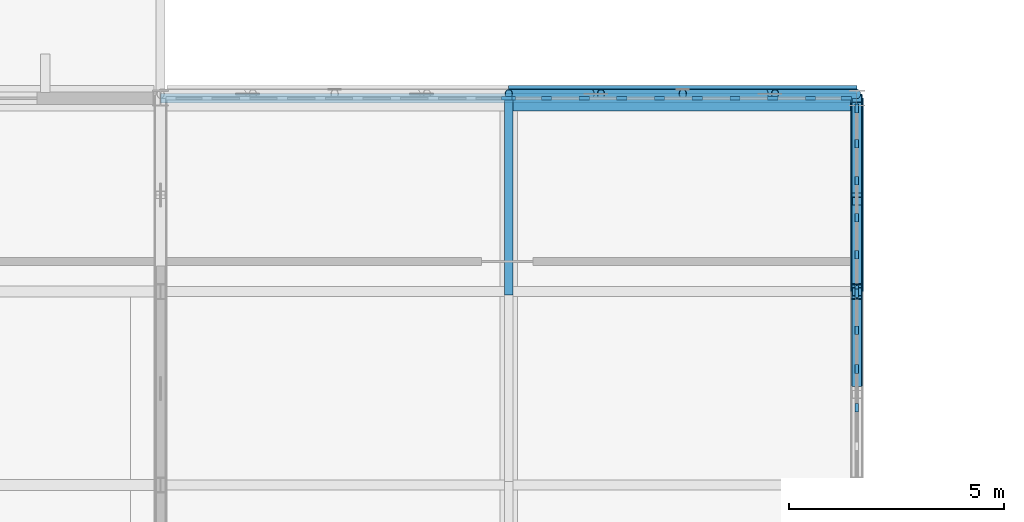
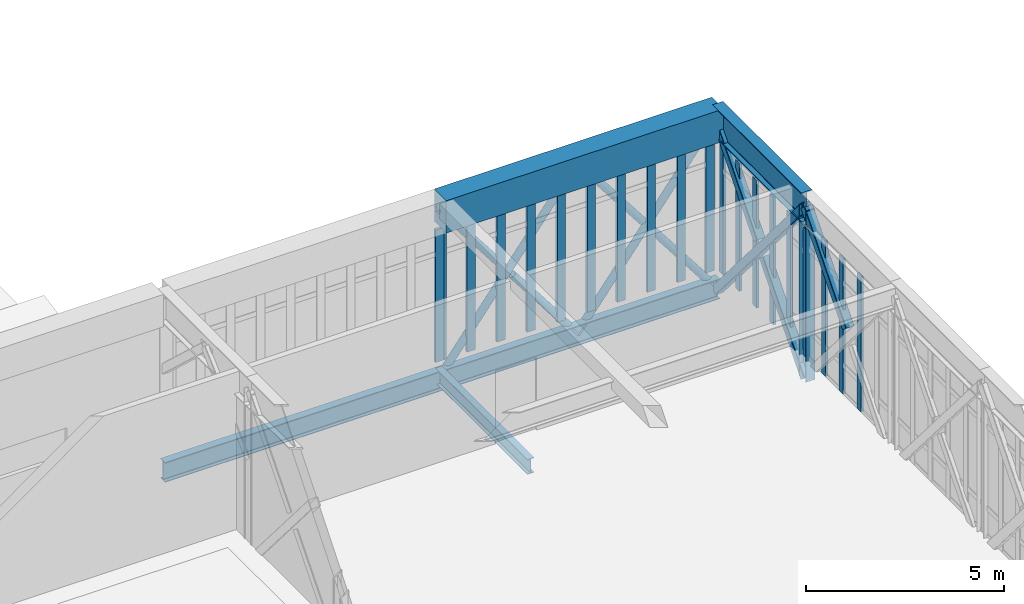
# One storey, part 18 of 70: 32 members, 4 beams, 4 elements without a shape of their own.
"""IFC4 building model written with IfcOpenShell, lengths in metres."""

import ifcopenshell
import ifcopenshell.guid

model = None  # the IFC model being written
_history = None  # IfcOwnerHistory: only IFC2X3 demands one
_inside = {}  # id of a spatial element -> (the spatial element, [elements in it])
_under = {}  # id of a project, library or spatial element -> (it, [spatial elements below it])
_declared = {}  # id of a project -> (the project, [libraries it declares])
_typed = {}  # id of a type object -> (the type object, [elements of that type])
_made_of = {}  # id of a material, layer set ... -> (it, [elements and type objects made of it])


def new_model(schema):
    """Start an empty IFC model of exactly this schema.

    Asked for "IFC4X3", IfcOpenShell would pick the latest addendum, in which some entities
    have other attributes; the version numbers below select the first issue.
    IFC2X3 requires an IfcOwnerHistory on every rooted entity: one is made here for all.
    """
    global model, _history
    if schema == "IFC4X3":
        model = ifcopenshell.file(schema_version=(4, 3, 0, 0))
    else:
        model = ifcopenshell.file(schema=schema)
    _inside.clear()
    _under.clear()
    _declared.clear()
    _typed.clear()
    _made_of.clear()
    _history = None
    if model.schema == "IFC2X3":
        org = make("IfcOrganization", Name="unknown")
        user = make(
            "IfcPersonAndOrganization",
            ThePerson=make("IfcPerson", FamilyName="unknown"),
            TheOrganization=org,
        )
        app = make(
            "IfcApplication",
            ApplicationDeveloper=org,
            Version="unknown",
            ApplicationFullName="unknown",
            ApplicationIdentifier="unknown",
        )
        _history = make(
            "IfcOwnerHistory",
            OwningUser=user,
            OwningApplication=app,
            ChangeAction="ADDED",
            CreationDate=0,
        )
    return model


def make(cls, **values):
    """One entity of the class cls with the attributes given. An attribute that is None is left unset."""
    return model.create_entity(
        cls, **{name: value for name, value in values.items() if value is not None}
    )


def rooted(cls, **values):
    """An entity with a GlobalId (a new one), such as an element, a storey or a relation."""
    return make(cls, GlobalId=ifcopenshell.guid.new(), OwnerHistory=_history, **values)


def si_unit(unit_type, name, prefix=None):
    """IfcSIUnit, for example si_unit("LENGTHUNIT", "METRE", prefix="MILLI")."""
    return make("IfcSIUnit", UnitType=unit_type, Prefix=prefix, Name=name)


def assignment(units):
    """IfcUnitAssignment: the units of a project."""
    return None if units is None else make("IfcUnitAssignment", Units=units)


def point(xyz):
    """IfcCartesianPoint."""
    return None if xyz is None else make("IfcCartesianPoint", Coordinates=xyz)


def direction(xyz):
    """IfcDirection."""
    return None if xyz is None else make("IfcDirection", DirectionRatios=xyz)


def frame(location, z_axis=None, x_axis=None):
    """IfcAxis2Placement3D, a coordinate frame: its origin and axes. An axis left out is left unset."""
    return make(
        "IfcAxis2Placement3D",
        Location=point(location),
        Axis=direction(z_axis),
        RefDirection=direction(x_axis),
    )


def frame_2d(location, x_axis=None):
    """IfcAxis2Placement2D, a coordinate frame in the plane: its origin and x axis."""
    return make(
        "IfcAxis2Placement2D", Location=point(location), RefDirection=direction(x_axis)
    )


def origin():
    """The frame at (0, 0, 0) with its axes left unset."""
    return frame((0.0, 0.0, 0.0))


def origin_2d():
    """The frame at (0, 0) in the plane with its x axis left unset."""
    return frame_2d((0.0, 0.0))


def place(relative_to, where):
    """IfcLocalPlacement: puts the frame where relative to a parent placement (None: the world)."""
    return make(
        "IfcLocalPlacement", PlacementRelTo=relative_to, RelativePlacement=where
    )


def context(
    kind, dimensions, precision=None, world=None, true_north=None, identifier=None
):
    """IfcGeometricRepresentationContext, for example the 3D "Model" context."""
    return make(
        "IfcGeometricRepresentationContext",
        ContextIdentifier=identifier,
        ContextType=kind,
        CoordinateSpaceDimension=dimensions,
        Precision=precision,
        WorldCoordinateSystem=world,
        TrueNorth=true_north,
    )


def subcontext(parent, identifier, kind, view, scale=None):
    """IfcGeometricRepresentationSubContext, for example "Body" below "Model"."""
    return make(
        "IfcGeometricRepresentationSubContext",
        ContextIdentifier=identifier,
        ContextType=kind,
        ParentContext=parent,
        TargetScale=scale,
        TargetView=view,
    )


def project(units=None, contexts=None):
    """IfcProject with its units and contexts."""
    return rooted(
        "IfcProject",
        Name="project",
        RepresentationContexts=contexts,
        UnitsInContext=assignment(units),
    )


def spatial(cls, under=None, at=None, **own):
    """A site, building, storey or space (cls), placed at a placement, below another one or the project."""
    s = rooted(cls, ObjectPlacement=at, **own)
    if under is not None:
        _under.setdefault(under.id(), (under, []))[1].append(s)
    return s


def profile(cls, at=None, kind="AREA", **sizes):
    """A parametric profile (cls). Its sizes go by their IFC names, for example OverallWidth=200.0."""
    return make(cls, ProfileType=kind, Position=at, **sizes)


def rectangle(**sizes):
    """IfcRectangleProfileDef."""
    return profile("IfcRectangleProfileDef", **sizes)


def hollow_rectangle(**sizes):
    """IfcRectangleHollowProfileDef."""
    return profile("IfcRectangleHollowProfileDef", **sizes)


def hollow_circle(**sizes):
    """IfcCircleHollowProfileDef."""
    return profile("IfcCircleHollowProfileDef", **sizes)


def i_section(**sizes):
    """IfcIShapeProfileDef."""
    return profile("IfcIShapeProfileDef", **sizes)


def extrude(swept, where, along, depth):
    """IfcExtrudedAreaSolid: the profile swept, set in the frame where, extruded along a direction by depth."""
    return make(
        "IfcExtrudedAreaSolid",
        SweptArea=swept,
        Position=where,
        ExtrudedDirection=direction(along),
        Depth=depth,
    )


def shape(context_of_items, identifier, shape_type, items):
    """IfcShapeRepresentation: the items that make up one representation, for example the "Body"."""
    return make(
        "IfcShapeRepresentation",
        ContextOfItems=context_of_items,
        RepresentationIdentifier=identifier,
        RepresentationType=shape_type,
        Items=items,
    )


def material(Name=None, Category=None):
    """IfcMaterial."""
    return make("IfcMaterial", Name=Name, Category=Category)


def material_profile(
    of_material, cross_section, Name=None, Category=None, Priority=None
):
    """IfcMaterialProfile: a cross section and its material."""
    return make(
        "IfcMaterialProfile",
        Name=Name,
        Material=of_material,
        Profile=cross_section,
        Priority=Priority,
        Category=Category,
    )


def profile_set(profiles, Name=None, composite=None):
    """IfcMaterialProfileSet."""
    return make(
        "IfcMaterialProfileSet",
        Name=Name,
        MaterialProfiles=profiles,
        CompositeProfile=composite,
    )


def made_of(thing, what):
    """Note that an element or type object is made of a material, layer set ...; save() writes the relation."""
    if what is not None:
        _made_of.setdefault(what.id(), (what, []))[1].append(thing)
    return thing


def type_object(cls, material=None, **own):
    """A type object (cls), such as IfcWallType, which elements share."""
    return made_of(rooted(cls, **own), material)


def element(
    cls,
    number,
    at=None,
    inside=None,
    cuts=None,
    type_object=None,
    material=None,
    context=None,
    identifier="Body",
    shape_type=None,
    held_by="IfcProductDefinitionShape",
    body=None,
    shapes=None,
    **own,
):
    """One element of the class cls, such as IfcWall. Its Tag is "e" and its number.

    at: its placement. inside: the storey or other place that contains it. cuts: it is an
    opening in that element (IfcRelVoidsElement). A single representation is given by context,
    identifier, shape_type and body (its items); several are given by shapes. held_by: the class
    of the entity that holds the representations. save() writes the other relations.
    """
    e = rooted(cls, Tag="e%d" % number, ObjectPlacement=at, **own)
    if body is not None:
        shapes = [shape(context, identifier, shape_type, body)]
    if shapes is not None:
        e.Representation = make(held_by, Representations=shapes)
    if inside is not None:
        _inside.setdefault(inside.id(), (inside, []))[1].append(e)
    if cuts is not None:
        rooted(
            "IfcRelVoidsElement", RelatingBuildingElement=cuts, RelatedOpeningElement=e
        )
    if type_object is not None:
        _typed.setdefault(type_object.id(), (type_object, []))[1].append(e)
    return made_of(e, material)


def aggregate(whole, parts):
    """IfcRelAggregates: a whole, such as a stair, and the parts it consists of."""
    return rooted("IfcRelAggregates", RelatingObject=whole, RelatedObjects=parts)


def save(model, path):
    """Write the relations noted so far, then the file.

    IfcRelAggregates (storeys below a building ...), IfcRelContainedInSpatialStructure (elements
    in a storey), IfcRelDefinesByType, IfcRelAssociatesMaterial and IfcRelDeclares: one each for
    every whole, place, type object, material and project.
    """
    for whole, parts in _under.values():
        aggregate(whole, parts)
    for where, things in _inside.values():
        rooted(
            "IfcRelContainedInSpatialStructure",
            RelatedElements=things,
            RelatingStructure=where,
        )
    for kind, things in _typed.values():
        rooted("IfcRelDefinesByType", RelatedObjects=things, RelatingType=kind)
    for what, things in _made_of.values():
        rooted("IfcRelAssociatesMaterial", RelatedObjects=things, RelatingMaterial=what)
    for by, libraries in _declared.values():
        rooted("IfcRelDeclares", RelatingContext=by, RelatedDefinitions=libraries)
    model.write(path)


model = new_model("IFC4")

# Units and contexts
model_context = context("Model", 3, precision=1e-05, world=origin(), true_north=direction((0.0, 1.0)))
body_context = subcontext(model_context, "Body", "Model", "MODEL_VIEW")
ifc_project = project(units=[si_unit("LENGTHUNIT", "METRE"), si_unit("AREAUNIT", "SQUARE_METRE"), si_unit("VOLUMEUNIT", "CUBIC_METRE"), si_unit("PLANEANGLEUNIT", "RADIAN"), si_unit("MASSUNIT", "GRAM", prefix="KILO")], contexts=[model_context])

# Site, building, storey
site_placement = place(None, origin())
site = spatial("IfcSite", under=ifc_project, at=site_placement, CompositionType="ELEMENT")
building_placement = place(site_placement, origin())
building = spatial("IfcBuilding", under=site, at=building_placement, Name="Tarnveldt Square Police Headquarters", CompositionType="ELEMENT")
storey_placement = place(building_placement, frame((0.0, 0.0, 19.800048828125)))
storey = spatial("IfcBuildingStorey", under=building, at=storey_placement, Name="L04", CompositionType="ELEMENT", Elevation=19.800048828125)

# Beams
ifc_material_1 = material(Name="Steel 350W", Category="steel")
ifc_material_profile_1 = material_profile(ifc_material_1, i_section(OverallWidth=0.305908203125, OverallDepth=0.9189453125, WebThickness=0.017333984375, FlangeThickness=0.02783203125, FilletRadius=0.02392578125, at=origin_2d()), Name="W920x253")
ifc_profile_set_1 = profile_set([ifc_material_profile_1], Name="Steel 350W")
beam_type_1 = type_object("IfcBeamType", Name="BM-CT-TOP", PredefinedType="BEAM", material=ifc_profile_set_1)
beam_1_placement = place(storey_placement, frame((64.800048828125, 34.0, 4.640380859375), z_axis=(0.0, -1.0, 0.0), x_axis=(1.0, 0.0, 0.0)))
element("IfcBeam", 1, at=beam_1_placement, inside=storey, type_object=beam_type_1, Name="Cantilever Truss CT-4 Top Chord 1", PredefinedType="BEAM", context=body_context, shape_type="SweptSolid", body=[
    extrude(i_section(OverallWidth=0.305908203125, OverallDepth=0.9189453125, WebThickness=0.017333984375, FlangeThickness=0.02783203125, FilletRadius=0.02392578125, at=origin_2d()), origin(), (0.0, 0.0, 1.0), 4.5),
])
ifc_material_2 = material(Name="Concrete 50 MPa", Category="concrete")
ifc_material_profile_2 = material_profile(ifc_material_2, rectangle(XDim=0.60009765625, YDim=1.0, at=origin_2d()), Name="RC-B600x1000")
ifc_profile_set_2 = profile_set([ifc_material_profile_2], Name="Concrete 50 MPa")
beam_type_2 = type_object("IfcBeamType", Name="BM-RC600x1000", PredefinedType="BEAM", material=ifc_profile_set_2)
beam_2_placement = place(storey_placement, frame((56.699951171875, 34.0, 4.599853515625), z_axis=(1.0, 0.0, 0.0), x_axis=(0.0, 1.0, 0.0)))
element("IfcBeam", 2, at=beam_2_placement, inside=storey, type_object=beam_type_2, Name="Command and Control Room Springing Edge Ring Beam N7", PredefinedType="BEAM", context=body_context, shape_type="SweptSolid", body=[
    extrude(rectangle(XDim=0.60009765625, YDim=1.0, at=origin_2d()), origin(), (0.0, 0.0, 1.0), 8.10009765625),
])
ifc_material_profile_3 = material_profile(ifc_material_1, i_section(OverallWidth=0.19189453125, OverallDepth=0.462890625, WebThickness=0.010498046875, FlangeThickness=0.017578125, FilletRadius=0.01806640625, at=origin_2d()), Name="W460x89")
ifc_profile_set_3 = profile_set([ifc_material_profile_3], Name="Steel 350W")
beam_type_3 = type_object("IfcBeamType", Name="BM-W460x89", PredefinedType="BEAM", material=ifc_profile_set_3)
beam_3_placement = place(storey_placement, frame((56.699951171875, 34.080078125, -0.491455078125), z_axis=(0.0, -1.0, 0.0), x_axis=(1.0, 0.0, 0.0)))
element("IfcBeam", 3, at=beam_3_placement, inside=storey, type_object=beam_type_3, Name="Lantern L04 Secondary Beam 56.0", PredefinedType="BEAM", context=body_context, shape_type="SweptSolid", body=[
    extrude(i_section(OverallWidth=0.19189453125, OverallDepth=0.462890625, WebThickness=0.010498046875, FlangeThickness=0.017578125, FilletRadius=0.01806640625, at=origin_2d()), origin(), (0.0, 0.0, 1.0), 4.66015625),
])
ifc_material_profile_4 = material_profile(ifc_material_1, i_section(OverallWidth=0.22900390625, OverallDepth=0.612060546875, WebThickness=0.011962890625, FlangeThickness=0.01953125, FilletRadius=0.01904296875, at=origin_2d()), Name="W610x125")
ifc_profile_set_4 = profile_set([ifc_material_profile_4], Name="Steel 350W")
beam_type_4 = type_object("IfcBeamType", Name="BM-W610x125", PredefinedType="BEAM", material=ifc_profile_set_4)
beam_4_placement = place(storey_placement, frame((48.60009765625, 34.0, -0.566162109375), z_axis=(1.0, 0.0, 0.0), x_axis=(0.0, 1.0, 0.0)))
element("IfcBeam", 4, at=beam_4_placement, inside=storey, type_object=beam_type_4, Name="Command Lantern L04 Transverse Girder 3.0", PredefinedType="BEAM", context=body_context, shape_type="SweptSolid", body=[
    extrude(i_section(OverallWidth=0.22900390625, OverallDepth=0.612060546875, WebThickness=0.011962890625, FlangeThickness=0.01953125, FilletRadius=0.01904296875, at=origin_2d()), origin(), (0.0, 0.0, 1.0), 16.199951171875),
])

# Curtain wall, members
ifc_material_3 = material(Name="Triple-glazed low-e laminated vision glass", Category="glass")
curtain_wall_type_1 = type_object("IfcCurtainWallType", Name="CW-LT-450x417", PredefinedType="USERDEFINED", material=ifc_material_3)
curtain_wall_1_placement = place(storey_placement, origin())
curtain_wall_1 = element("IfcCurtainWall", 5, at=curtain_wall_1_placement, inside=storey, type_object=curtain_wall_type_1, Name="L04 Curtain Wall CW-L04-060", ObjectType="GLAZED CURTAIN WALL", PredefinedType="USERDEFINED")
ifc_material_4 = material(Name="Thermally broken anodised aluminium 6063-T6", Category="aluminium")
ifc_material_profile_5 = material_profile(ifc_material_4, rectangle(XDim=0.074951171875, YDim=0.199951171875, at=origin_2d()), Name="CW-M75x200")
ifc_profile_set_5 = profile_set([ifc_material_profile_5], Name="Thermally broken anodised aluminium 6063-T6")
member_type_1 = type_object("IfcMemberType", Name="CWM-75x200", PredefinedType="MULLION", material=ifc_profile_set_5)
member_1_placement = place(storey_placement, frame((64.800048828125, 26.800048828125, 0.0), z_axis=(0.0, 0.0, 1.0), x_axis=(-1.0, 0.0, 0.0)))
member_1 = element("IfcMember", 6, at=member_1_placement, type_object=member_type_1, Name="CW-LT22 mullion 3", PredefinedType="MULLION", context=body_context, shape_type="SweptSolid", body=[
    extrude(rectangle(XDim=0.074951171875, YDim=0.199951171875, at=origin_2d()), origin(), (0.0, 0.0, 1.0), 4.1728515625),
])
member_2_placement = place(storey_placement, frame((64.800048828125, 27.699951171875, 0.0), z_axis=(0.0, 0.0, 1.0), x_axis=(-1.0, 0.0, 0.0)))
member_2 = element("IfcMember", 7, at=member_2_placement, type_object=member_type_1, Name="CW-LT22 mullion 4", PredefinedType="MULLION", context=body_context, shape_type="SweptSolid", body=[
    extrude(rectangle(XDim=0.074951171875, YDim=0.199951171875, at=origin_2d()), origin(), (0.0, 0.0, 1.0), 4.1728515625),
])
member_3_placement = place(storey_placement, frame((64.800048828125, 28.60009765625, 0.0), z_axis=(0.0, 0.0, 1.0), x_axis=(-1.0, 0.0, 0.0)))
member_3 = element("IfcMember", 8, at=member_3_placement, type_object=member_type_1, Name="CW-LT22 mullion 5", PredefinedType="MULLION", context=body_context, shape_type="SweptSolid", body=[
    extrude(rectangle(XDim=0.074951171875, YDim=0.199951171875, at=origin_2d()), origin(), (0.0, 0.0, 1.0), 4.1728515625),
])
member_4_placement = place(storey_placement, frame((64.800048828125, 29.46240234375, 0.0), z_axis=(0.0, 0.0, 1.0), x_axis=(-1.0, 0.0, 0.0)))
member_4 = element("IfcMember", 9, at=member_4_placement, type_object=member_type_1, Name="CW-LT22 mullion 6", PredefinedType="MULLION", context=body_context, shape_type="SweptSolid", body=[
    extrude(rectangle(XDim=0.074951171875, YDim=0.199951171875, at=origin_2d()), origin(), (0.0, 0.0, 1.0), 4.1728515625),
])
aggregate(curtain_wall_1, [member_1, member_2, member_3, member_4])

curtain_wall_type_2 = type_object("IfcCurtainWallType", Name="CW-LT-430x395", PredefinedType="USERDEFINED", material=ifc_material_3)
curtain_wall_2_placement = place(storey_placement, origin())
curtain_wall_2 = element("IfcCurtainWall", 10, at=curtain_wall_2_placement, inside=storey, type_object=curtain_wall_type_2, Name="L04 Curtain Wall CW-L04-061", ObjectType="GLAZED CURTAIN WALL", PredefinedType="USERDEFINED")
member_5_placement = place(storey_placement, frame((64.800048828125, 29.53759765625, 0.0), z_axis=(0.0, 0.0, 1.0), x_axis=(-1.0, 0.0, 0.0)))
member_5 = element("IfcMember", 11, at=member_5_placement, type_object=member_type_1, Name="CW-LT23 mullion 1", PredefinedType="MULLION", context=body_context, shape_type="SweptSolid", body=[
    extrude(rectangle(XDim=0.074951171875, YDim=0.199951171875, at=origin_2d()), origin(), (0.0, 0.0, 1.0), 3.951904296875),
])
member_6_placement = place(storey_placement, frame((64.800048828125, 30.359619140625, 0.0), z_axis=(0.0, 0.0, 1.0), x_axis=(-1.0, 0.0, 0.0)))
member_6 = element("IfcMember", 12, at=member_6_placement, type_object=member_type_1, Name="CW-LT23 mullion 2", PredefinedType="MULLION", context=body_context, shape_type="SweptSolid", body=[
    extrude(rectangle(XDim=0.074951171875, YDim=0.199951171875, at=origin_2d()), origin(), (0.0, 0.0, 1.0), 3.951904296875),
])
member_7_placement = place(storey_placement, frame((64.800048828125, 31.21923828125, 0.0), z_axis=(0.0, 0.0, 1.0), x_axis=(-1.0, 0.0, 0.0)))
member_7 = element("IfcMember", 13, at=member_7_placement, type_object=member_type_1, Name="CW-LT23 mullion 3", PredefinedType="MULLION", context=body_context, shape_type="SweptSolid", body=[
    extrude(rectangle(XDim=0.074951171875, YDim=0.199951171875, at=origin_2d()), origin(), (0.0, 0.0, 1.0), 3.951904296875),
])
member_8_placement = place(storey_placement, frame((64.800048828125, 32.078857421875, 0.0), z_axis=(0.0, 0.0, 1.0), x_axis=(-1.0, 0.0, 0.0)))
member_8 = element("IfcMember", 14, at=member_8_placement, type_object=member_type_1, Name="CW-LT23 mullion 4", PredefinedType="MULLION", context=body_context, shape_type="SweptSolid", body=[
    extrude(rectangle(XDim=0.074951171875, YDim=0.199951171875, at=origin_2d()), origin(), (0.0, 0.0, 1.0), 3.951904296875),
])
member_9_placement = place(storey_placement, frame((64.800048828125, 32.9384765625, 0.0), z_axis=(0.0, 0.0, 1.0), x_axis=(-1.0, 0.0, 0.0)))
member_9 = element("IfcMember", 15, at=member_9_placement, type_object=member_type_1, Name="CW-LT23 mullion 5", PredefinedType="MULLION", context=body_context, shape_type="SweptSolid", body=[
    extrude(rectangle(XDim=0.074951171875, YDim=0.199951171875, at=origin_2d()), origin(), (0.0, 0.0, 1.0), 3.951904296875),
])
member_10_placement = place(storey_placement, frame((64.800048828125, 33.760498046875, 0.0), z_axis=(0.0, 0.0, 1.0), x_axis=(-1.0, 0.0, 0.0)))
member_10 = element("IfcMember", 16, at=member_10_placement, type_object=member_type_1, Name="CW-LT23 mullion 6", PredefinedType="MULLION", context=body_context, shape_type="SweptSolid", body=[
    extrude(rectangle(XDim=0.074951171875, YDim=0.199951171875, at=origin_2d()), origin(), (0.0, 0.0, 1.0), 3.951904296875),
])
aggregate(curtain_wall_2, [member_5, member_6, member_7, member_8, member_9, member_10])

# Curtain wall, member
ifc_material_5 = material(Name="UL 752 Level III laminated ballistic vision glass", Category="glass")
curtain_wall_type_3 = type_object("IfcCurtainWallType", Name="CW-BL-790x409", PredefinedType="USERDEFINED", material=ifc_material_5)
curtain_wall_3_placement = place(storey_placement, origin())
curtain_wall_3 = element("IfcCurtainWall", 17, at=curtain_wall_3_placement, inside=storey, type_object=curtain_wall_type_3, Name="L04 Curtain Wall CW-L04-048", ObjectType="BALLISTIC CURTAIN WALL", PredefinedType="USERDEFINED")
ifc_material_profile_6 = material_profile(ifc_material_4, rectangle(XDim=0.0849609375, YDim=0.239990234375, at=origin_2d()), Name="CW-M85x240")
ifc_profile_set_6 = profile_set([ifc_material_profile_6], Name="Thermally broken anodised aluminium 6063-T6")
member_type_2 = type_object("IfcMemberType", Name="CWM-85x240", PredefinedType="MULLION", material=ifc_profile_set_6)
member_11_placement = place(storey_placement, frame((56.657470703125, 34.0, 0.0), z_axis=(0.0, 0.0, 1.0), x_axis=(0.0, 1.0, 0.0)))
member_11 = element("IfcMember", 18, at=member_11_placement, type_object=member_type_2, Name="CW-BL19 mullion 10", PredefinedType="MULLION", context=body_context, shape_type="SweptSolid", body=[
    extrude(rectangle(XDim=0.0849609375, YDim=0.239990234375, at=origin_2d()), origin(), (0.0, 0.0, 1.0), 4.092041015625),
])
aggregate(curtain_wall_3, [member_11])

# Curtain wall, members
curtain_wall_4_placement = place(storey_placement, origin())
curtain_wall_4 = element("IfcCurtainWall", 19, at=curtain_wall_4_placement, inside=storey, type_object=curtain_wall_type_3, Name="L04 Curtain Wall CW-L04-049", ObjectType="BALLISTIC CURTAIN WALL", PredefinedType="USERDEFINED")
member_12_placement = place(storey_placement, frame((56.742431640625, 34.0, 0.0), z_axis=(0.0, 0.0, 1.0), x_axis=(0.0, 1.0, 0.0)))
member_12 = element("IfcMember", 20, at=member_12_placement, type_object=member_type_2, Name="CW-BL19 mullion 1", PredefinedType="MULLION", context=body_context, shape_type="SweptSolid", body=[
    extrude(rectangle(XDim=0.0849609375, YDim=0.239990234375, at=origin_2d()), origin(), (0.0, 0.0, 1.0), 4.092041015625),
])
member_13_placement = place(storey_placement, frame((57.57763671875, 34.0, 0.0), z_axis=(0.0, 0.0, 1.0), x_axis=(0.0, 1.0, 0.0)))
member_13 = element("IfcMember", 21, at=member_13_placement, type_object=member_type_2, Name="CW-BL19 mullion 2", PredefinedType="MULLION", context=body_context, shape_type="SweptSolid", body=[
    extrude(rectangle(XDim=0.0849609375, YDim=0.239990234375, at=origin_2d()), origin(), (0.0, 0.0, 1.0), 4.092041015625),
])
member_14_placement = place(storey_placement, frame((58.455078125, 34.0, 0.0), z_axis=(0.0, 0.0, 1.0), x_axis=(0.0, 1.0, 0.0)))
member_14 = element("IfcMember", 22, at=member_14_placement, type_object=member_type_2, Name="CW-BL19 mullion 3", PredefinedType="MULLION", context=body_context, shape_type="SweptSolid", body=[
    extrude(rectangle(XDim=0.0849609375, YDim=0.239990234375, at=origin_2d()), origin(), (0.0, 0.0, 1.0), 4.092041015625),
])
member_15_placement = place(storey_placement, frame((59.332763671875, 34.0, 0.0), z_axis=(0.0, 0.0, 1.0), x_axis=(0.0, 1.0, 0.0)))
member_15 = element("IfcMember", 23, at=member_15_placement, type_object=member_type_2, Name="CW-BL19 mullion 4", PredefinedType="MULLION", context=body_context, shape_type="SweptSolid", body=[
    extrude(rectangle(XDim=0.0849609375, YDim=0.239990234375, at=origin_2d()), origin(), (0.0, 0.0, 1.0), 4.092041015625),
])
member_16_placement = place(storey_placement, frame((60.210205078125, 34.0, 0.0), z_axis=(0.0, 0.0, 1.0), x_axis=(0.0, 1.0, 0.0)))
member_16 = element("IfcMember", 24, at=member_16_placement, type_object=member_type_2, Name="CW-BL19 mullion 5", PredefinedType="MULLION", context=body_context, shape_type="SweptSolid", body=[
    extrude(rectangle(XDim=0.0849609375, YDim=0.239990234375, at=origin_2d()), origin(), (0.0, 0.0, 1.0), 4.092041015625),
])
member_17_placement = place(storey_placement, frame((61.087890625, 34.0, 0.0), z_axis=(0.0, 0.0, 1.0), x_axis=(0.0, 1.0, 0.0)))
member_17 = element("IfcMember", 25, at=member_17_placement, type_object=member_type_2, Name="CW-BL19 mullion 6", PredefinedType="MULLION", context=body_context, shape_type="SweptSolid", body=[
    extrude(rectangle(XDim=0.0849609375, YDim=0.239990234375, at=origin_2d()), origin(), (0.0, 0.0, 1.0), 4.092041015625),
])
member_18_placement = place(storey_placement, frame((61.96533203125, 34.0, 0.0), z_axis=(0.0, 0.0, 1.0), x_axis=(0.0, 1.0, 0.0)))
member_18 = element("IfcMember", 26, at=member_18_placement, type_object=member_type_2, Name="CW-BL19 mullion 7", PredefinedType="MULLION", context=body_context, shape_type="SweptSolid", body=[
    extrude(rectangle(XDim=0.0849609375, YDim=0.239990234375, at=origin_2d()), origin(), (0.0, 0.0, 1.0), 4.092041015625),
])
member_19_placement = place(storey_placement, frame((62.8427734375, 34.0, 0.0), z_axis=(0.0, 0.0, 1.0), x_axis=(0.0, 1.0, 0.0)))
member_19 = element("IfcMember", 27, at=member_19_placement, type_object=member_type_2, Name="CW-BL19 mullion 8", PredefinedType="MULLION", context=body_context, shape_type="SweptSolid", body=[
    extrude(rectangle(XDim=0.0849609375, YDim=0.239990234375, at=origin_2d()), origin(), (0.0, 0.0, 1.0), 4.092041015625),
])
member_20_placement = place(storey_placement, frame((63.720458984375, 34.0, 0.0), z_axis=(0.0, 0.0, 1.0), x_axis=(0.0, 1.0, 0.0)))
member_20 = element("IfcMember", 28, at=member_20_placement, type_object=member_type_2, Name="CW-BL19 mullion 9", PredefinedType="MULLION", context=body_context, shape_type="SweptSolid", body=[
    extrude(rectangle(XDim=0.0849609375, YDim=0.239990234375, at=origin_2d()), origin(), (0.0, 0.0, 1.0), 4.092041015625),
])
member_21_placement = place(storey_placement, frame((64.555419921875, 34.0, 0.0), z_axis=(0.0, 0.0, 1.0), x_axis=(0.0, 1.0, 0.0)))
member_21 = element("IfcMember", 29, at=member_21_placement, type_object=member_type_2, Name="CW-BL19 mullion 10", PredefinedType="MULLION", context=body_context, shape_type="SweptSolid", body=[
    extrude(rectangle(XDim=0.0849609375, YDim=0.239990234375, at=origin_2d()), origin(), (0.0, 0.0, 1.0), 4.092041015625),
])
aggregate(curtain_wall_4, [member_12, member_13, member_14, member_15, member_16, member_17, member_18, member_19, member_20, member_21])

# Members
ifc_material_profile_7 = material_profile(ifc_material_1, i_section(OverallWidth=0.257080078125, OverallDepth=0.363037109375, WebThickness=0.012939453125, FlangeThickness=0.021728515625, FilletRadius=0.01611328125, at=origin_2d()), Name="W360x122")
ifc_profile_set_7 = profile_set([ifc_material_profile_7], Name="Steel 350W")
member_type_3 = type_object("IfcMemberType", Name="MEM-CT-POST", PredefinedType="STRUT", material=ifc_profile_set_7)
member_22_placement = place(storey_placement, frame((64.800048828125, 29.5, -0.64306640625), z_axis=(0.0, 0.0, 1.0), x_axis=(1.0, 0.0, 0.0)))
element("IfcMember", 30, at=member_22_placement, inside=storey, type_object=member_type_3, Name="Cantilever Truss CT-4 L04 Post 2", PredefinedType="STRUT", context=body_context, shape_type="SweptSolid", body=[
    extrude(i_section(OverallWidth=0.257080078125, OverallDepth=0.363037109375, WebThickness=0.012939453125, FlangeThickness=0.021728515625, FilletRadius=0.01611328125, at=origin_2d()), origin(), (0.0, 0.0, 1.0), 5.283447265625),
])
ifc_material_profile_8 = material_profile(ifc_material_1, hollow_rectangle(XDim=0.25390625, YDim=0.25390625, WallThickness=0.0126953125, InnerFilletRadius=0.0126953125, OuterFilletRadius=0.025390625, at=origin_2d()), Name="HSS254x254x13")
ifc_profile_set_8 = profile_set([ifc_material_profile_8], Name="Steel 350W")
member_type_4 = type_object("IfcMemberType", Name="MEM-CT-WEB2", PredefinedType="BRACE", material=ifc_profile_set_8)
member_23_placement = place(storey_placement, frame((64.800048828125, 34.0, -0.64306640625), z_axis=(0.0, -0.648406807061, 0.761294038173), x_axis=(1.0, 0.0, 0.0)))
element("IfcMember", 31, at=member_23_placement, inside=storey, type_object=member_type_4, Name="Cantilever Truss CT-4 L04 Web A1", PredefinedType="BRACE", context=body_context, shape_type="SweptSolid", body=[
    extrude(hollow_rectangle(XDim=0.25390625, YDim=0.25390625, WallThickness=0.0126953125, InnerFilletRadius=0.0126953125, OuterFilletRadius=0.025390625, at=origin_2d()), origin(), (0.0, 0.0, 1.0), 6.940185546875),
])
member_24_placement = place(storey_placement, frame((64.800048828125, 29.5, -0.64306640625), z_axis=(0.0, 0.648400353561, 0.761299534678), x_axis=(-1.0, 0.0, 0.0)))
element("IfcMember", 32, at=member_24_placement, inside=storey, type_object=member_type_4, Name="Cantilever Truss CT-4 L04 Web B1 Lower", PredefinedType="BRACE", context=body_context, shape_type="SweptSolid", body=[
    extrude(hollow_rectangle(XDim=0.25390625, YDim=0.25390625, WallThickness=0.0126953125, InnerFilletRadius=0.0126953125, OuterFilletRadius=0.025390625, at=origin_2d()), origin(), (0.0, 0.0, 1.0), 3.250244140625),
])
for number, where, z_axis, x_axis, name in (
    (33, (64.800048828125, 31.892578125, 2.166259765625), (0.0, 0.648437434135, 0.761267951521), (-1.0, 0.0, 0.0), "Cantilever Truss CT-4 L04 Web B1 Upper"),
    (34, (64.800048828125, 27.392578125, 2.166259765625), (0.0, 0.648437434135, 0.761267951521), (-1.0, 0.0, 0.0), "Cantilever Truss CT-4 L04 Web B2 Upper"),
):
    element("IfcMember", number, at=place(storey_placement, frame(where, z_axis=z_axis, x_axis=x_axis)), inside=storey, type_object=member_type_4, Name=name, PredefinedType="BRACE", context=body_context, shape_type="SweptSolid", body=[
        extrude(hollow_rectangle(XDim=0.25390625, YDim=0.25390625, WallThickness=0.0126953125, InnerFilletRadius=0.0126953125, OuterFilletRadius=0.025390625, at=origin_2d()), origin(), (0.0, 0.0, 1.0), 3.25),
    ])
ifc_material_profile_9 = material_profile(ifc_material_1, hollow_circle(Radius=0.109619140625, WallThickness=0.010986328125, at=origin_2d()), Name="HSS219x11")
ifc_profile_set_9 = profile_set([ifc_material_profile_9], Name="Steel 350W")
member_type_5 = type_object("IfcMemberType", Name="MEM-LT-DIAG2", PredefinedType="BRACE", material=ifc_profile_set_9)
member_25_placement = place(storey_placement, frame((56.699951171875, 34.10009765625, -0.64306640625), z_axis=(0.608375338642, 0.0, 0.793649448644), x_axis=(0.0, 1.0, 0.0)))
element("IfcMember", 35, at=member_25_placement, inside=storey, type_object=member_type_5, Name="Command Lantern N Steel Lattice Brace 7.1A", PredefinedType="BRACE", context=body_context, shape_type="SweptSolid", body=[
    extrude(hollow_circle(Radius=0.109619140625, WallThickness=0.010986328125, at=origin_2d()), origin(), (0.0, 0.0, 1.0), 6.6572265625),
])
member_26_placement = place(storey_placement, frame((60.75, 34.10009765625, -0.64306640625), z_axis=(-0.608344715413, 0.0, 0.793672922071), x_axis=(0.0, -1.0, 0.0)))
element("IfcMember", 36, at=member_26_placement, inside=storey, type_object=member_type_5, Name="Command Lantern N Steel Lattice Brace 7.1B Lower", PredefinedType="BRACE", context=body_context, shape_type="SweptSolid", body=[
    extrude(hollow_circle(Radius=0.109619140625, WallThickness=0.010986328125, at=origin_2d()), origin(), (0.0, 0.0, 1.0), 3.128662109375),
])
member_27_placement = place(storey_placement, frame((58.603271484375, 34.10009765625, 2.157470703125), z_axis=(-0.608382393445, 0.0, 0.793644040705), x_axis=(0.0, -1.0, 0.0)))
element("IfcMember", 37, at=member_27_placement, inside=storey, type_object=member_type_5, Name="Command Lantern N Steel Lattice Brace 7.1B Upper", PredefinedType="BRACE", context=body_context, shape_type="SweptSolid", body=[
    extrude(hollow_circle(Radius=0.109619140625, WallThickness=0.010986328125, at=origin_2d()), origin(), (0.0, 0.0, 1.0), 3.12841796875),
])
member_28_placement = place(storey_placement, frame((60.75, 34.10009765625, -0.64306640625), z_axis=(0.608375338642, 0.0, 0.793649448644), x_axis=(0.0, 1.0, 0.0)))
element("IfcMember", 38, at=member_28_placement, inside=storey, type_object=member_type_5, Name="Command Lantern N Steel Lattice Brace 7.2A", PredefinedType="BRACE", context=body_context, shape_type="SweptSolid", body=[
    extrude(hollow_circle(Radius=0.109619140625, WallThickness=0.010986328125, at=origin_2d()), origin(), (0.0, 0.0, 1.0), 6.6572265625),
])
member_29_placement = place(storey_placement, frame((64.800048828125, 34.10009765625, -0.64306640625), z_axis=(-0.608344715413, 0.0, 0.793672922071), x_axis=(0.0, -1.0, 0.0)))
element("IfcMember", 39, at=member_29_placement, inside=storey, type_object=member_type_5, Name="Command Lantern N Steel Lattice Brace 7.2B Lower", PredefinedType="BRACE", context=body_context, shape_type="SweptSolid", body=[
    extrude(hollow_circle(Radius=0.109619140625, WallThickness=0.010986328125, at=origin_2d()), origin(), (0.0, 0.0, 1.0), 3.128662109375),
])
member_30_placement = place(storey_placement, frame((62.6533203125, 34.10009765625, 2.157470703125), z_axis=(-0.608382393445, 0.0, 0.793644040705), x_axis=(0.0, -1.0, 0.0)))
element("IfcMember", 40, at=member_30_placement, inside=storey, type_object=member_type_5, Name="Command Lantern N Steel Lattice Brace 7.2B Upper", PredefinedType="BRACE", context=body_context, shape_type="SweptSolid", body=[
    extrude(hollow_circle(Radius=0.109619140625, WallThickness=0.010986328125, at=origin_2d()), origin(), (0.0, 0.0, 1.0), 3.12841796875),
])

save(model, "model.ifc")
